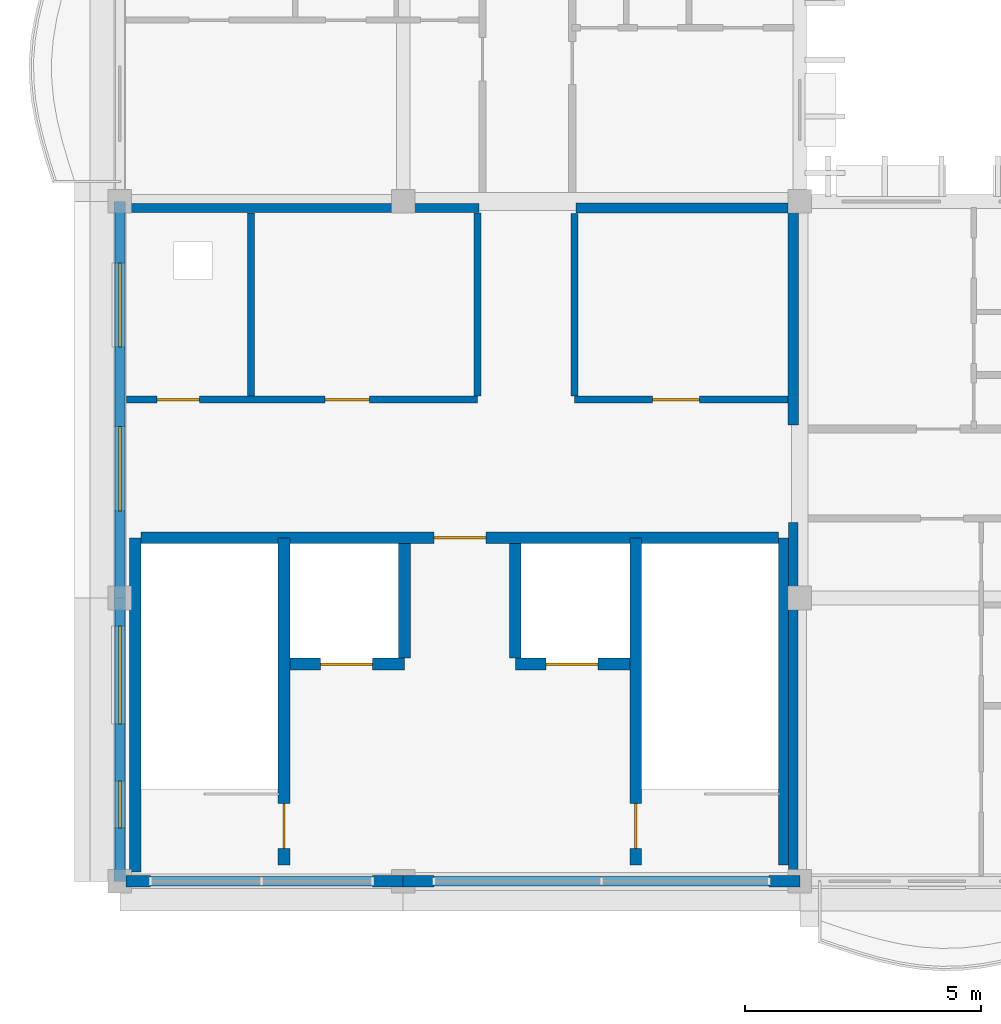
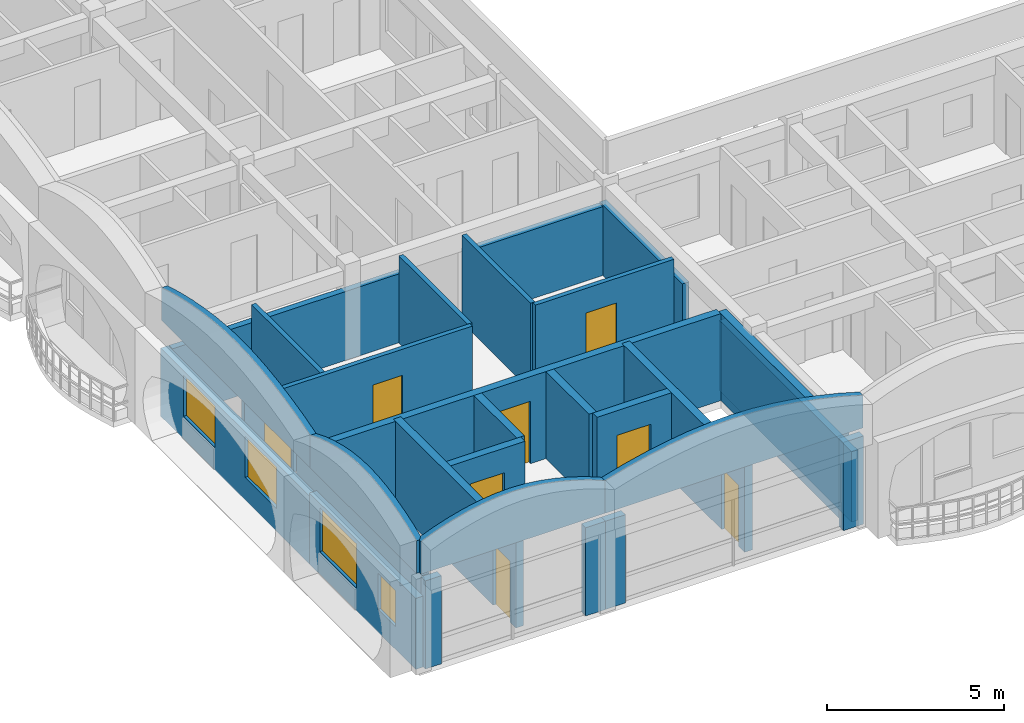
# One storey, part 10 of 45: 28 walls, 8 doors, 4 windows, 12 openings.
"""IFC4 building model written with IfcOpenShell, lengths in metres."""

from ifc_helpers import new_model, si_unit, direction, frame, frame_2d, origin, place, context, subcontext, project, spatial, polyline, rectangle, outline, extrude, material, layer, layer_set, type_object, element, fill, save


model = new_model("IFC4")

# Units and contexts
model_context = context("Model", 3, precision=1e-05, world=origin(), true_north=direction((0.0, 1.0)))
body_context = subcontext(model_context, "Body", "Model", "MODEL_VIEW")
ifc_project = project(units=[si_unit("LENGTHUNIT", "METRE"), si_unit("AREAUNIT", "SQUARE_METRE"), si_unit("VOLUMEUNIT", "CUBIC_METRE"), si_unit("PLANEANGLEUNIT", "RADIAN"), si_unit("MASSUNIT", "GRAM", prefix="KILO"), si_unit("THERMODYNAMICTEMPERATUREUNIT", "KELVIN")], contexts=[model_context])

# Site, building, storey
site_placement = place(None, origin())
site = spatial("IfcSite", under=ifc_project, at=site_placement, CompositionType="ELEMENT")
building_placement = place(site_placement, origin())
building = spatial("IfcBuilding", under=site, at=building_placement, Name="Thalorik Housing Commons", CompositionType="ELEMENT")
storey_placement = place(building_placement, frame((0.0, 0.0, 34.5)))
storey = spatial("IfcBuildingStorey", under=building, at=storey_placement, Name="L10", CompositionType="ELEMENT", Elevation=34.5)

# Wall, opening, door
ifc_material_1 = material(Name="Concrete C40/50", Category="concrete")
ifc_layer_1 = layer(ifc_material_1, 0.25, Name="Concrete C40/50", Category="concrete")
ifc_layer_set_1 = layer_set([ifc_layer_1], Name="Concrete C40/50")
wall_type_1 = type_object("IfcWallType", Name="ARC-WAL-CORE-250", PredefinedType="SHEAR", material=ifc_layer_set_1)
wall_1_placement = place(storey_placement, frame((11.875, 8.75, 0.0), z_axis=(0.0, 0.0, 1.0), x_axis=(0.0, 1.0, 0.0)))
wall_1 = element("IfcWall", 1, at=wall_1_placement, inside=storey, type_object=wall_type_1, Name="L10 Core C Stair 1 Shear Wall", PredefinedType="SHEAR", context=body_context, shape_type="SweptSolid", body=[
    extrude(rectangle(XDim=6.925048828125, YDim=0.25, at=frame_2d((3.46240234375, 0.0))), origin(), (0.0, 0.0, 1.0), 3.0),
])
opening_1_placement = place(wall_1_placement, frame((0.35009765625, 0.0, 0.0)))
opening_1 = element("IfcOpeningElement", 2, at=opening_1_placement, cuts=wall_1, Name="Opening ID-0337", PredefinedType="OPENING", context=body_context, shape_type="SweptSolid", body=[
    extrude(rectangle(XDim=0.949951171875, YDim=2.10009765625, at=frame_2d((0.47509765625, 1.050048828125))), frame((0.0, 0.135009765625, 0.0), z_axis=(0.0, -1.0, 0.0), x_axis=(1.0, 0.0, 0.0)), (0.0, 0.0, 1.0), 0.27001953125),
])
ifc_material_2 = material(Name="Steel S355", Category="steel")
door_type_1 = type_object("IfcDoorType", Name="ARC-DR-FD60-950", OperationType="NOTDEFINED", PredefinedType="DOOR", material=ifc_material_2)
door_1_placement = place(opening_1_placement, origin())
door_1 = element("IfcDoor", 3, at=door_1_placement, inside=storey, type_object=door_type_1, Name="L10 Stair ST-C1 Fire Door", OperationType="SINGLE_SWING_RIGHT", OverallHeight=2.10009765625, OverallWidth=0.949951171875, PredefinedType="DOOR", context=body_context, shape_type="SweptSolid", body=[
    extrude(rectangle(XDim=0.949951171875, YDim=2.10009765625, at=frame_2d((0.47509765625, 1.050048828125))), frame((0.0, 0.02490234375, 0.0), z_axis=(0.0, -1.0, 0.0), x_axis=(1.0, 0.0, 0.0)), (0.0, 0.0, 1.0), 0.050048828125),
])
fill(opening_1, door_1)

# Walls
wall_2_placement = place(storey_placement, frame((8.72509765625, 8.60009765625, 0.0), z_axis=(0.0, 0.0, 1.0), x_axis=(0.0, 1.0, 0.0)))
element("IfcWall", 4, at=wall_2_placement, inside=storey, type_object=wall_type_1, Name="L10 Core C Stair 1 Outer Shear Wall", PredefinedType="SHEAR", context=body_context, shape_type="SweptSolid", body=[
    extrude(rectangle(XDim=7.074951171875, YDim=0.25, at=frame_2d((3.53759765625, 0.0))), origin(), (0.0, 0.0, 1.0), 3.0),
])
wall_3_placement = place(storey_placement, frame((22.47509765625, 8.75, 0.0), z_axis=(0.0, 0.0, 1.0), x_axis=(0.0, 1.0, 0.0)))
element("IfcWall", 5, at=wall_3_placement, inside=storey, type_object=wall_type_1, Name="L10 Core C Stair 2 Outer Shear Wall", PredefinedType="SHEAR", context=body_context, shape_type="SweptSolid", body=[
    extrude(rectangle(XDim=6.925048828125, YDim=0.25, at=frame_2d((3.46240234375, 0.0))), origin(), (0.0, 0.0, 1.0), 3.0),
])

# Wall, opening, door
wall_4_placement = place(storey_placement, frame((19.324951171875, 8.75, 0.0), z_axis=(0.0, 0.0, 1.0), x_axis=(0.0, 1.0, 0.0)))
wall_4 = element("IfcWall", 6, at=wall_4_placement, inside=storey, type_object=wall_type_1, Name="L10 Core C Stair 2 Shear Wall", PredefinedType="SHEAR", context=body_context, shape_type="SweptSolid", body=[
    extrude(rectangle(XDim=6.925048828125, YDim=0.25, at=frame_2d((3.46240234375, 0.0))), origin(), (0.0, 0.0, 1.0), 3.0),
])
opening_2_placement = place(wall_4_placement, frame((0.35009765625, 0.0, 0.0)))
opening_2 = element("IfcOpeningElement", 7, at=opening_2_placement, cuts=wall_4, Name="Opening ID-0338", PredefinedType="OPENING", context=body_context, shape_type="SweptSolid", body=[
    extrude(rectangle(XDim=0.949951171875, YDim=2.10009765625, at=frame_2d((0.47509765625, 1.050048828125))), frame((0.0, 0.135009765625, 0.0), z_axis=(0.0, -1.0, 0.0), x_axis=(1.0, 0.0, 0.0)), (0.0, 0.0, 1.0), 0.27001953125),
])
door_2_placement = place(opening_2_placement, origin())
door_2 = element("IfcDoor", 8, at=door_2_placement, inside=storey, type_object=door_type_1, Name="L10 Stair ST-C2 Fire Door", OperationType="SINGLE_SWING_LEFT", OverallHeight=2.10009765625, OverallWidth=0.949951171875, PredefinedType="DOOR", context=body_context, shape_type="SweptSolid", body=[
    extrude(rectangle(XDim=0.949951171875, YDim=2.10009765625, at=frame_2d((0.47509765625, 1.050048828125))), frame((0.0, 0.02490234375, 0.0), z_axis=(0.0, -1.0, 0.0), x_axis=(1.0, 0.0, 0.0)), (0.0, 0.0, 1.0), 0.050048828125),
])
fill(opening_2, door_2)

wall_5_placement = place(storey_placement, frame((12.0, 13.0, 0.0), z_axis=(0.0, 0.0, 1.0), x_axis=(1.0, 0.0, 0.0)))
wall_5 = element("IfcWall", 9, at=wall_5_placement, inside=storey, type_object=wall_type_1, Name="L10 Lift LF-C1 Front Shaft Wall", PredefinedType="SHEAR", context=body_context, shape_type="SweptSolid", body=[
    extrude(rectangle(XDim=2.425048828125, YDim=0.25, at=frame_2d((1.21240234375, 0.0))), origin(), (0.0, 0.0, 1.0), 3.0),
])
opening_3_placement = place(wall_5_placement, frame((0.64990234375, 0.0, 0.0)))
opening_3 = element("IfcOpeningElement", 10, at=opening_3_placement, cuts=wall_5, Name="Opening LD-LF-C1-L10", PredefinedType="OPENING", context=body_context, shape_type="SweptSolid", body=[
    extrude(rectangle(XDim=1.10009765625, YDim=2.14990234375, at=frame_2d((0.550048828125, 1.074951171875))), frame((0.0, 0.135009765625, 0.0), z_axis=(0.0, -1.0, 0.0), x_axis=(1.0, 0.0, 0.0)), (0.0, 0.0, 1.0), 0.27001953125),
])
door_type_2 = type_object("IfcDoorType", Name="ARC-DR-LIFT-1100", OperationType="NOTDEFINED", PredefinedType="DOOR", material=ifc_material_2)
door_3_placement = place(opening_3_placement, origin())
door_3 = element("IfcDoor", 11, at=door_3_placement, inside=storey, type_object=door_type_2, Name="L10 Lift LF-C1 Landing Door", OperationType="SLIDING_TO_LEFT", OverallHeight=2.14990234375, OverallWidth=1.10009765625, PredefinedType="DOOR", context=body_context, shape_type="SweptSolid", body=[
    extrude(rectangle(XDim=1.10009765625, YDim=2.14990234375, at=frame_2d((0.550048828125, 1.074951171875))), frame((0.0, 0.02490234375, 0.0), z_axis=(0.0, -1.0, 0.0), x_axis=(1.0, 0.0, 0.0)), (0.0, 0.0, 1.0), 0.050048828125),
])
fill(opening_3, door_3)

wall_6_placement = place(storey_placement, frame((16.77490234375, 13.0, 0.0), z_axis=(0.0, 0.0, 1.0), x_axis=(1.0, 0.0, 0.0)))
wall_6 = element("IfcWall", 12, at=wall_6_placement, inside=storey, type_object=wall_type_1, Name="L10 Lift LP-C2 Front Shaft Wall", PredefinedType="SHEAR", context=body_context, shape_type="SweptSolid", body=[
    extrude(rectangle(XDim=2.425048828125, YDim=0.25, at=frame_2d((1.21240234375, 0.0))), origin(), (0.0, 0.0, 1.0), 3.0),
])
opening_4_placement = place(wall_6_placement, frame((0.64990234375, 0.0, 0.0)))
opening_4 = element("IfcOpeningElement", 13, at=opening_4_placement, cuts=wall_6, Name="Opening LD-LP-C2-L10", PredefinedType="OPENING", context=body_context, shape_type="SweptSolid", body=[
    extrude(rectangle(XDim=1.10009765625, YDim=2.14990234375, at=frame_2d((0.550048828125, 1.074951171875))), frame((0.0, 0.135009765625, 0.0), z_axis=(0.0, -1.0, 0.0), x_axis=(1.0, 0.0, 0.0)), (0.0, 0.0, 1.0), 0.27001953125),
])
door_4_placement = place(opening_4_placement, origin())
door_4 = element("IfcDoor", 14, at=door_4_placement, inside=storey, type_object=door_type_2, Name="L10 Lift LP-C2 Landing Door", OperationType="SLIDING_TO_LEFT", OverallHeight=2.14990234375, OverallWidth=1.10009765625, PredefinedType="DOOR", context=body_context, shape_type="SweptSolid", body=[
    extrude(rectangle(XDim=1.10009765625, YDim=2.14990234375, at=frame_2d((0.550048828125, 1.074951171875))), frame((0.0, 0.02490234375, 0.0), z_axis=(0.0, -1.0, 0.0), x_axis=(1.0, 0.0, 0.0)), (0.0, 0.0, 1.0), 0.050048828125),
])
fill(opening_4, door_4)

# Walls
for number, where, z_axis, x_axis, name in (
    (15, (14.425048828125, 13.125, 0.0), (0.0, 0.0, 1.0), (0.0, 1.0, 0.0), "L10 Lift 1 Cheek Wall"),
    (16, (16.77490234375, 13.125, 0.0), (0.0, 0.0, 1.0), (0.0, 1.0, 0.0), "L10 Lift 2 Cheek Wall"),
):
    element("IfcWall", number, at=place(storey_placement, frame(where, z_axis=z_axis, x_axis=x_axis)), inside=storey, type_object=wall_type_1, Name=name, PredefinedType="SHEAR", context=body_context, shape_type="SweptSolid", body=[
        extrude(rectangle(XDim=2.425048828125, YDim=0.25, at=frame_2d((1.21240234375, 0.0))), origin(), (0.0, 0.0, 1.0), 3.0),
    ])

# Wall, opening, door
wall_7_placement = place(storey_placement, frame((8.85009765625, 15.675048828125, 0.0), z_axis=(0.0, 0.0, 1.0), x_axis=(1.0, 0.0, 0.0)))
wall_7 = element("IfcWall", 17, at=wall_7_placement, inside=storey, type_object=wall_type_1, Name="L10 Core C Spine Shear Wall", PredefinedType="SHEAR", context=body_context, shape_type="SweptSolid", body=[
    extrude(rectangle(XDim=13.5, YDim=0.25, at=frame_2d((6.75, 0.0))), origin(), (0.0, 0.0, 1.0), 3.0),
])
opening_5_placement = place(wall_7_placement, frame((6.199951171875, 0.0, 0.0)))
opening_5 = element("IfcOpeningElement", 18, at=opening_5_placement, cuts=wall_7, Name="Opening ID-0341", PredefinedType="OPENING", context=body_context, shape_type="SweptSolid", body=[
    extrude(rectangle(XDim=1.10009765625, YDim=2.14990234375, at=frame_2d((0.550048828125, 1.074951171875))), frame((0.0, 0.135009765625, 0.0), z_axis=(0.0, -1.0, 0.0), x_axis=(1.0, 0.0, 0.0)), (0.0, 0.0, 1.0), 0.27001953125),
])
door_type_3 = type_object("IfcDoorType", Name="ARC-DR-FD60-1100", OperationType="NOTDEFINED", PredefinedType="DOOR", material=ifc_material_2)
door_5_placement = place(opening_5_placement, origin())
door_5 = element("IfcDoor", 19, at=door_5_placement, inside=storey, type_object=door_type_3, Name="L10 Core C Lobby Fire Door", OperationType="SINGLE_SWING_RIGHT", OverallHeight=2.14990234375, OverallWidth=1.10009765625, PredefinedType="DOOR", context=body_context, shape_type="SweptSolid", body=[
    extrude(rectangle(XDim=1.10009765625, YDim=2.14990234375, at=frame_2d((0.550048828125, 1.074951171875))), frame((0.0, 0.02490234375, 0.0), z_axis=(0.0, -1.0, 0.0), x_axis=(1.0, 0.0, 0.0)), (0.0, 0.0, 1.0), 0.050048828125),
])
fill(opening_5, door_5)

# Wall, openings, windows
ifc_material_3 = material(Name="White precast concrete C40/50", Category="concrete")
ifc_layer_2 = layer(ifc_material_3, 0.2451171875, Name="White precast concrete C40/50", Category="concrete")
ifc_layer_set_2 = layer_set([ifc_layer_2], Name="White precast concrete C40/50")
wall_type_2 = type_object("IfcWallType", Name="ARC-WAL-EXT-245", PredefinedType="STANDARD", material=ifc_layer_set_2)
wall_8_placement = place(storey_placement, frame((8.39990234375, 22.800048828125, 0.0), z_axis=(0.0, 0.0, 1.0), x_axis=(0.0, -1.0, 0.0)))
wall_8 = element("IfcWall", 20, at=wall_8_placement, inside=storey, type_object=wall_type_2, Name="L10 Exterior Wall WAL-EXT-L10-C-1093", PredefinedType="STANDARD", context=body_context, shape_type="SweptSolid", body=[
    extrude(rectangle(XDim=8.400146484375, YDim=0.2451171875, at=frame_2d((4.2001953125, 0.0))), origin(), (0.0, 0.0, 1.0), 2.344970703125),
])
opening_6_placement = place(wall_8_placement, frame((1.304931640625, 0.0, 0.780029296875)))
opening_6 = element("IfcOpeningElement", 21, at=opening_6_placement, cuts=wall_8, Name="Opening W-57", PredefinedType="OPENING", context=body_context, shape_type="SweptSolid", body=[
    extrude(rectangle(XDim=1.780029296875, YDim=1.419921875, at=frame_2d((0.89013671875, 0.7099609375))), frame((0.0, 0.132568359375, 0.0), z_axis=(0.0, -1.0, 0.0), x_axis=(1.0, 0.0, 0.0)), (0.0, 0.0, 1.0), 0.26513671875),
])
opening_7_placement = place(wall_8_placement, frame((4.7724609375, 0.0, 0.780029296875)))
opening_7 = element("IfcOpeningElement", 22, at=opening_7_placement, cuts=wall_8, Name="Opening W-57", PredefinedType="OPENING", context=body_context, shape_type="SweptSolid", body=[
    extrude(rectangle(XDim=1.780029296875, YDim=1.419921875, at=frame_2d((0.89013671875, 0.7099609375))), frame((0.0, 0.132568359375, 0.0), z_axis=(0.0, -1.0, 0.0), x_axis=(1.0, 0.0, 0.0)), (0.0, 0.0, 1.0), 0.26513671875),
])
ifc_material_4 = material(Name="Anodised aluminium and solar-control low-E glass", Category="aluminium")
window_type_1 = type_object("IfcWindowType", Name="ARC-WIN-57", PartitioningType="DOUBLE_PANEL_VERTICAL", PredefinedType="WINDOW", material=ifc_material_4)
window_1_placement = place(opening_6_placement, origin())
window_1 = element("IfcWindow", 23, at=window_1_placement, inside=storey, type_object=window_type_1, Name="L10 Facade Window 2014", OverallHeight=1.419921875, OverallWidth=1.780029296875, PartitioningType="DOUBLE_PANEL_VERTICAL", PredefinedType="WINDOW", context=body_context, shape_type="SweptSolid", body=[
    extrude(rectangle(XDim=1.780029296875, YDim=1.419921875, at=frame_2d((0.89013671875, 0.7099609375))), frame((0.0, 0.030029296875, 0.0), z_axis=(0.0, -1.0, 0.0), x_axis=(1.0, 0.0, 0.0)), (0.0, 0.0, 1.0), 0.06005859375),
])
fill(opening_6, window_1)
window_2_placement = place(opening_7_placement, origin())
window_2 = element("IfcWindow", 24, at=window_2_placement, inside=storey, type_object=window_type_1, Name="L10 Facade Window 2015", OverallHeight=1.419921875, OverallWidth=1.780029296875, PartitioningType="DOUBLE_PANEL_VERTICAL", PredefinedType="WINDOW", context=body_context, shape_type="SweptSolid", body=[
    extrude(rectangle(XDim=1.780029296875, YDim=1.419921875, at=frame_2d((0.89013671875, 0.7099609375))), frame((0.0, 0.030029296875, 0.0), z_axis=(0.0, -1.0, 0.0), x_axis=(1.0, 0.0, 0.0)), (0.0, 0.0, 1.0), 0.06005859375),
])
fill(opening_7, window_2)

wall_9_placement = place(storey_placement, frame((8.39990234375, 14.39990234375, 0.0), z_axis=(0.0, 0.0, 1.0), x_axis=(0.0, -1.0, 0.0)))
wall_9 = element("IfcWall", 25, at=wall_9_placement, inside=storey, type_object=wall_type_2, Name="L10 Exterior Wall WAL-EXT-L10-C-1094", PredefinedType="STANDARD", context=body_context, shape_type="SweptSolid", body=[
    extrude(rectangle(XDim=6.0, YDim=0.2451171875, at=frame_2d((3.0, 0.0))), origin(), (0.0, 0.0, 1.0), 2.445068359375),
])
opening_8_placement = place(wall_9_placement, frame((0.590087890625, 0.0, 0.780029296875)))
opening_8 = element("IfcOpeningElement", 26, at=opening_8_placement, cuts=wall_9, Name="Opening W-63", PredefinedType="OPENING", context=body_context, shape_type="SweptSolid", body=[
    extrude(rectangle(XDim=2.080078125, YDim=1.52001953125, at=frame_2d((1.0400390625, 0.760009765625))), frame((0.0, 0.132568359375, 0.0), z_axis=(0.0, -1.0, 0.0), x_axis=(1.0, 0.0, 0.0)), (0.0, 0.0, 1.0), 0.26513671875),
])
opening_9_placement = place(wall_9_placement, frame((3.8701171875, 0.0, 0.780029296875)))
opening_9 = element("IfcOpeningElement", 27, at=opening_9_placement, cuts=wall_9, Name="Opening W-02", PredefinedType="OPENING", context=body_context, shape_type="SweptSolid", body=[
    extrude(rectangle(XDim=1.0, YDim=1.25, at=frame_2d((0.5, 0.625))), frame((0.0, 0.132568359375, 0.0), z_axis=(0.0, -1.0, 0.0), x_axis=(1.0, 0.0, 0.0)), (0.0, 0.0, 1.0), 0.26513671875),
])
window_type_2 = type_object("IfcWindowType", Name="ARC-WIN-02", PartitioningType="SINGLE_PANEL", PredefinedType="WINDOW", material=ifc_material_4)
window_3_placement = place(opening_9_placement, origin())
window_3 = element("IfcWindow", 28, at=window_3_placement, inside=storey, type_object=window_type_2, Name="L10 Facade Window 2017", OverallHeight=1.25, OverallWidth=1.0, PartitioningType="SINGLE_PANEL", PredefinedType="WINDOW", context=body_context, shape_type="SweptSolid", body=[
    extrude(rectangle(XDim=1.0, YDim=1.25, at=frame_2d((0.5, 0.625))), frame((0.0, 0.030029296875, 0.0), z_axis=(0.0, -1.0, 0.0), x_axis=(1.0, 0.0, 0.0)), (0.0, 0.0, 1.0), 0.06005859375),
])
fill(opening_9, window_3)
window_type_3 = type_object("IfcWindowType", Name="ARC-WIN-63", PartitioningType="DOUBLE_PANEL_VERTICAL", PredefinedType="WINDOW", material=ifc_material_4)
window_4_placement = place(opening_8_placement, origin())
window_4 = element("IfcWindow", 29, at=window_4_placement, inside=storey, type_object=window_type_3, Name="L10 Facade Window 2016", OverallHeight=1.52001953125, OverallWidth=2.080078125, PartitioningType="DOUBLE_PANEL_VERTICAL", PredefinedType="WINDOW", context=body_context, shape_type="SweptSolid", body=[
    extrude(rectangle(XDim=2.080078125, YDim=1.52001953125, at=frame_2d((1.0400390625, 0.760009765625))), frame((0.0, 0.030029296875, 0.0), z_axis=(0.0, -1.0, 0.0), x_axis=(1.0, 0.0, 0.0)), (0.0, 0.0, 1.0), 0.06005859375),
])
fill(opening_8, window_4)

# Walls
wall_10_placement = place(storey_placement, frame((8.5244140625, 8.39990234375, 0.0), z_axis=(0.0, 0.0, 1.0), x_axis=(1.0, 0.0, 0.0)))
element("IfcWall", 30, at=wall_10_placement, inside=storey, type_object=wall_type_2, Name="L10 Exterior Wall WAL-PIERL-L10-C-1095", PredefinedType="STANDARD", context=body_context, shape_type="SweptSolid", body=[
    extrude(rectangle(XDim=0.525634765625, YDim=0.2451171875, at=frame_2d((0.2626953125, 0.0))), origin(), (0.0, 0.0, 1.0), 3.0400390625),
])
wall_11_placement = place(storey_placement, frame((13.75, 8.39990234375, 0.0), z_axis=(0.0, 0.0, 1.0), x_axis=(1.0, 0.0, 0.0)))
element("IfcWall", 31, at=wall_11_placement, inside=storey, type_object=wall_type_2, Name="L10 Exterior Wall WAL-PIERR-L10-C-1095", PredefinedType="STANDARD", context=body_context, shape_type="SweptSolid", body=[
    extrude(rectangle(XDim=0.64990234375, YDim=0.2451171875, at=frame_2d((0.324951171875, 0.0))), origin(), (0.0, 0.0, 1.0), 3.0400390625),
])
for number, where, z_axis, x_axis, name in (
    (32, (14.39990234375, 8.39990234375, 0.0), (0.0, 0.0, 1.0), (1.0, 0.0, 0.0), "L10 Exterior Wall WAL-PIERL-L10-C-1096"),
    (33, (22.14990234375, 8.39990234375, 0.0), (0.0, 0.0, 1.0), (1.0, 0.0, 0.0), "L10 Exterior Wall WAL-PIERR-L10-C-1096"),
):
    element("IfcWall", number, at=place(storey_placement, frame(where, z_axis=z_axis, x_axis=x_axis)), inside=storey, type_object=wall_type_2, Name=name, PredefinedType="STANDARD", context=body_context, shape_type="SweptSolid", body=[
        extrude(rectangle(XDim=0.650146484375, YDim=0.2451171875, at=frame_2d((0.3251953125, 0.0))), origin(), (0.0, 0.0, 1.0), 3.0400390625),
    ])
ifc_layer_3 = layer(ifc_material_3, 0.195068359375, Name="White precast concrete C40/50", Category="concrete")
ifc_layer_set_3 = layer_set([ifc_layer_3], Name="White precast concrete C40/50")
wall_type_3 = type_object("IfcWallType", Name="ARC-WAL-PAR-195", PredefinedType="PARAPET", material=ifc_layer_set_3)
wall_12_placement = place(storey_placement, frame((8.39990234375, 22.800048828125, 3.300048828125), z_axis=(0.0, 0.0, 1.0), x_axis=(0.0, -1.0, 0.0)))
element("IfcWall", 34, at=wall_12_placement, inside=storey, type_object=wall_type_3, Name="L10 Block C Scalloped Arched Roof Parapet 36", PredefinedType="PARAPET", context=body_context, shape_type="SweptSolid", body=[
    extrude(outline(polyline([(0.0, 0.0), (8.400146484375, 0.0), (8.39990234375, 1.119873046875), (7.699951171875, 1.321533203125), (7.0, 1.484375), (6.300048828125, 1.61767578125), (5.60009765625, 1.71728515625), (4.89990234375, 1.779052734375), (4.199951171875, 1.800048828125), (3.5, 1.779052734375), (2.800048828125, 1.71728515625), (2.10009765625, 1.61767578125), (1.39990234375, 1.484375), (0.699951171875, 1.321533203125), (0.0, 1.119873046875), (0.0, 0.0)])), frame((0.0, 0.09765625, 0.0), z_axis=(0.0, -1.0, 0.0), x_axis=(1.0, 0.0, 0.0)), (0.0, 0.0, 1.0), 0.195068359375),
])
for number, where, z_axis, x_axis, name in (
    (35, (8.39990234375, 14.39990234375, 3.300048828125), (0.0, 0.0, 1.0), (0.0, -1.0, 0.0), "L10 Block C Scalloped Arched Roof Parapet 37"),
    (36, (8.39990234375, 8.39990234375, 3.300048828125), (0.0, 0.0, 1.0), (1.0, 0.0, 0.0), "L10 Block C Scalloped Arched Roof Parapet 38"),
):
    element("IfcWall", number, at=place(storey_placement, frame(where, z_axis=z_axis, x_axis=x_axis)), inside=storey, type_object=wall_type_3, Name=name, PredefinedType="PARAPET", context=body_context, shape_type="SweptSolid", body=[
        extrude(outline(polyline([(0.0, 0.0), (6.0, 0.0), (6.0, 1.119873046875), (5.5, 1.321533203125), (5.0, 1.484375), (4.5, 1.61767578125), (4.0, 1.71728515625), (3.5, 1.779052734375), (3.0, 1.800048828125), (2.5, 1.779052734375), (2.0, 1.71728515625), (1.5, 1.61767578125), (1.0, 1.484375), (0.5, 1.321533203125), (0.0, 1.119873046875), (0.0, 0.0)])), frame((0.0, 0.09765625, 0.0), z_axis=(0.0, -1.0, 0.0), x_axis=(1.0, 0.0, 0.0)), (0.0, 0.0, 1.0), 0.195068359375),
    ])
wall_13_placement = place(storey_placement, frame((14.39990234375, 8.39990234375, 3.300048828125), z_axis=(0.0, 0.0, 1.0), x_axis=(1.0, 0.0, 0.0)))
element("IfcWall", 37, at=wall_13_placement, inside=storey, type_object=wall_type_3, Name="L10 Block C Scalloped Arched Roof Parapet 39", PredefinedType="PARAPET", context=body_context, shape_type="SweptSolid", body=[
    extrude(outline(polyline([(0.0, 0.0), (8.400146484375, 0.0), (8.39990234375, 1.119873046875), (7.699951171875, 1.321533203125), (7.0, 1.484375), (6.300048828125, 1.61767578125), (5.60009765625, 1.71728515625), (4.89990234375, 1.779052734375), (4.199951171875, 1.800048828125), (3.5, 1.779052734375), (2.800048828125, 1.71728515625), (2.10009765625, 1.61767578125), (1.39990234375, 1.484375), (0.699951171875, 1.321533203125), (0.0, 1.119873046875), (0.0, 0.0)])), frame((0.0, 0.09765625, 0.0), z_axis=(0.0, -1.0, 0.0), x_axis=(1.0, 0.0, 0.0)), (0.0, 0.0, 1.0), 0.195068359375),
])
ifc_material_5 = material(Name="Ceramic masonry partition wall", Category="masonry")
ifc_layer_4 = layer(ifc_material_5, 0.14794921875, Name="Ceramic masonry partition wall", Category="masonry")
ifc_layer_set_4 = layer_set([ifc_layer_4], Name="Ceramic masonry partition wall")
wall_type_4 = type_object("IfcWallType", Name="ARC-WAL-PART-150", PredefinedType="PARTITIONING", material=ifc_layer_set_4)
for number, where, z_axis, x_axis, name in (
    (38, (11.175048828125, 18.676025390625, 0.0), (0.0, 0.0, 1.0), (0.0, 1.0, 0.0), "Riser Wall"),
    (39, (15.97509765625, 18.676025390625, 0.0), (0.0, 0.0, 1.0), (0.0, 1.0, 0.0), "Core Stem West Cheek Wall"),
):
    element("IfcWall", number, at=place(storey_placement, frame(where, z_axis=z_axis, x_axis=x_axis)), inside=storey, type_object=wall_type_4, Name=name, PredefinedType="PARTITIONING", context=body_context, shape_type="SweptSolid", body=[
        extrude(rectangle(XDim=3.882080078125, YDim=0.14794921875, at=frame_2d((1.94091796875, 0.0))), origin(), (0.0, 0.0, 1.0), 3.0),
    ])
wall_14_placement = place(storey_placement, frame((18.02490234375, 18.676025390625, 0.0), z_axis=(0.0, 0.0, 1.0), x_axis=(0.0, 1.0, 0.0)))
element("IfcWall", 40, at=wall_14_placement, inside=storey, type_object=wall_type_4, Name="Core Stem East Cheek Wall", PredefinedType="PARTITIONING", context=body_context, shape_type="SweptSolid", body=[
    extrude(rectangle(XDim=3.8720703125, YDim=0.14794921875, at=frame_2d((1.93603515625, 0.0))), origin(), (0.0, 0.0, 1.0), 3.0),
])

# Wall, openings, doors
wall_15_placement = place(storey_placement, frame((8.5400390625, 18.60009765625, 0.0), z_axis=(0.0, 0.0, 1.0), x_axis=(1.0, 0.0, 0.0)))
wall_15 = element("IfcWall", 41, at=wall_15_placement, inside=storey, type_object=wall_type_4, Name="L10 Core C West Corridor Partition", PredefinedType="PARTITIONING", context=body_context, shape_type="SweptSolid", body=[
    extrude(rectangle(XDim=7.43505859375, YDim=0.14794921875, at=frame_2d((3.717529296875, 0.0))), origin(), (0.0, 0.0, 1.0), 3.0),
])
opening_10_placement = place(wall_15_placement, frame((0.64990234375, 0.0, 0.0)))
opening_10 = element("IfcOpeningElement", 42, at=opening_10_placement, cuts=wall_15, Name="Opening ID-0342", PredefinedType="OPENING", context=body_context, shape_type="SweptSolid", body=[
    extrude(rectangle(XDim=0.89990234375, YDim=2.10009765625, at=frame_2d((0.449951171875, 1.050048828125))), frame((0.0, 0.083984375, 0.0), z_axis=(0.0, -1.0, 0.0), x_axis=(1.0, 0.0, 0.0)), (0.0, 0.0, 1.0), 0.16796875),
])
opening_11_placement = place(wall_15_placement, frame((4.199951171875, 0.0, 0.0)))
opening_11 = element("IfcOpeningElement", 43, at=opening_11_placement, cuts=wall_15, Name="Opening ID-0343", PredefinedType="OPENING", context=body_context, shape_type="SweptSolid", body=[
    extrude(rectangle(XDim=0.949951171875, YDim=2.10009765625, at=frame_2d((0.47509765625, 1.050048828125))), frame((0.0, 0.083984375, 0.0), z_axis=(0.0, -1.0, 0.0), x_axis=(1.0, 0.0, 0.0)), (0.0, 0.0, 1.0), 0.16796875),
])
door_type_4 = type_object("IfcDoorType", Name="ARC-DR-FD60-900", OperationType="NOTDEFINED", PredefinedType="DOOR", material=ifc_material_2)
door_6_placement = place(opening_10_placement, origin())
door_6 = element("IfcDoor", 44, at=door_6_placement, inside=storey, type_object=door_type_4, Name="Electrical Riser Door", OperationType="SINGLE_SWING_LEFT", OverallHeight=2.10009765625, OverallWidth=0.89990234375, PredefinedType="DOOR", context=body_context, shape_type="SweptSolid", body=[
    extrude(rectangle(XDim=0.89990234375, YDim=2.10009765625, at=frame_2d((0.449951171875, 1.050048828125))), frame((0.0, 0.02490234375, 0.0), z_axis=(0.0, -1.0, 0.0), x_axis=(1.0, 0.0, 0.0)), (0.0, 0.0, 1.0), 0.050048828125),
])
fill(opening_10, door_6)
ifc_material_6 = material(Name="Engineered oak timber", Category="wood")
door_type_5 = type_object("IfcDoorType", Name="ARC-DR-INT-950", OperationType="NOTDEFINED", PredefinedType="DOOR", material=ifc_material_6)
door_7_placement = place(opening_11_placement, origin())
door_7 = element("IfcDoor", 45, at=door_7_placement, inside=storey, type_object=door_type_5, Name="Accessible Bathroom Door", OperationType="SINGLE_SWING_RIGHT", OverallHeight=2.10009765625, OverallWidth=0.949951171875, PredefinedType="DOOR", context=body_context, shape_type="SweptSolid", body=[
    extrude(rectangle(XDim=0.949951171875, YDim=2.10009765625, at=frame_2d((0.47509765625, 1.050048828125))), frame((0.0, 0.02490234375, 0.0), z_axis=(0.0, -1.0, 0.0), x_axis=(1.0, 0.0, 0.0)), (0.0, 0.0, 1.0), 0.050048828125),
])
fill(opening_11, door_7)

# Wall, opening, door
wall_16_placement = place(storey_placement, frame((18.02490234375, 18.60009765625, 0.0), z_axis=(0.0, 0.0, 1.0), x_axis=(1.0, 0.0, 0.0)))
wall_16 = element("IfcWall", 46, at=wall_16_placement, inside=storey, type_object=wall_type_4, Name="L10 Core C East Corridor Partition", PredefinedType="PARTITIONING", context=body_context, shape_type="SweptSolid", body=[
    extrude(rectangle(XDim=4.523193359375, YDim=0.14794921875, at=frame_2d((2.26171875, 0.0))), origin(), (0.0, 0.0, 1.0), 3.0),
])
opening_12_placement = place(wall_16_placement, frame((1.64990234375, 0.0, 0.0)))
opening_12 = element("IfcOpeningElement", 47, at=opening_12_placement, cuts=wall_16, Name="Opening ID-0344", PredefinedType="OPENING", context=body_context, shape_type="SweptSolid", body=[
    extrude(rectangle(XDim=1.0, YDim=2.14990234375, at=frame_2d((0.5, 1.074951171875))), frame((0.0, 0.083984375, 0.0), z_axis=(0.0, -1.0, 0.0), x_axis=(1.0, 0.0, 0.0)), (0.0, 0.0, 1.0), 0.16796875),
])
door_type_6 = type_object("IfcDoorType", Name="ARC-DR-FD60-1000", OperationType="NOTDEFINED", PredefinedType="DOOR", material=ifc_material_2)
door_8_placement = place(opening_12_placement, origin())
door_8 = element("IfcDoor", 48, at=door_8_placement, inside=storey, type_object=door_type_6, Name="Core Hub Room Door", OperationType="SINGLE_SWING_LEFT", OverallHeight=2.14990234375, OverallWidth=1.0, PredefinedType="DOOR", context=body_context, shape_type="SweptSolid", body=[
    extrude(rectangle(XDim=1.0, YDim=2.14990234375, at=frame_2d((0.5, 1.074951171875))), frame((0.0, 0.02490234375, 0.0), z_axis=(0.0, -1.0, 0.0), x_axis=(1.0, 0.0, 0.0)), (0.0, 0.0, 1.0), 0.050048828125),
])
fill(opening_12, door_8)

# Walls
ifc_material_7 = material(Name="Precast concrete C40/50 acoustic wall", Category="concrete")
ifc_layer_5 = layer(ifc_material_7, 0.199951171875, Name="Precast concrete C40/50 acoustic wall", Category="concrete")
ifc_layer_set_5 = layer_set([ifc_layer_5], Name="Precast concrete C40/50 acoustic wall")
wall_type_5 = type_object("IfcWallType", Name="ARC-WAL-PARTY-200", PredefinedType="PARTITIONING", material=ifc_layer_set_5)
wall_17_placement = place(storey_placement, frame((8.5244140625, 22.659912109375, 0.0), z_axis=(0.0, 0.0, 1.0), x_axis=(1.0, 0.0, 0.0)))
element("IfcWall", 49, at=wall_17_placement, inside=storey, type_object=wall_type_5, Name="L10 Inter-Tenancy Wall 0A", PredefinedType="PARTITIONING", context=body_context, shape_type="SweptSolid", body=[
    extrude(rectangle(XDim=7.478515625, YDim=0.199951171875, at=frame_2d((3.7392578125, 0.0))), origin(), (0.0, 0.0, 1.0), 2.375),
])
wall_18_placement = place(storey_placement, frame((22.659912109375, 8.5244140625, 0.0), z_axis=(0.0, 0.0, 1.0), x_axis=(0.0, 1.0, 0.0)))
element("IfcWall", 50, at=wall_18_placement, inside=storey, type_object=wall_type_5, Name="L10 Inter-Tenancy Wall 0A", PredefinedType="PARTITIONING", context=body_context, shape_type="SweptSolid", body=[
    extrude(rectangle(XDim=7.478515625, YDim=0.199951171875, at=frame_2d((3.7392578125, 0.0))), origin(), (0.0, 0.0, 1.0), 2.425048828125),
])
ifc_layer_6 = layer(ifc_material_7, 0.219970703125, Name="Precast concrete C40/50 acoustic wall", Category="concrete")
ifc_layer_set_6 = layer_set([ifc_layer_6], Name="Precast concrete C40/50 acoustic wall")
wall_type_6 = type_object("IfcWallType", Name="ARC-WAL-PARTY-220", PredefinedType="PARTITIONING", material=ifc_layer_set_6)
wall_19_placement = place(storey_placement, frame((18.064453125, 22.659912109375, 0.0), z_axis=(0.0, 0.0, 1.0), x_axis=(1.0, 0.0, 0.0)))
element("IfcWall", 51, at=wall_19_placement, inside=storey, type_object=wall_type_6, Name="L10 Inter-Tenancy Wall 0B", PredefinedType="PARTITIONING", context=body_context, shape_type="SweptSolid", body=[
    extrude(rectangle(XDim=4.483642578125, YDim=0.219970703125, at=frame_2d((2.24169921875, 0.0))), origin(), (0.0, 0.0, 1.0), 2.375),
])
wall_20_placement = place(storey_placement, frame((22.659912109375, 18.064453125, 0.0), z_axis=(0.0, 0.0, 1.0), x_axis=(0.0, 1.0, 0.0)))
element("IfcWall", 52, at=wall_20_placement, inside=storey, type_object=wall_type_6, Name="L10 Inter-Tenancy Wall 0B", PredefinedType="PARTITIONING", context=body_context, shape_type="SweptSolid", body=[
    extrude(rectangle(XDim=4.675537109375, YDim=0.219970703125, at=frame_2d((2.337890625, 0.0))), origin(), (0.0, 0.0, 1.0), 2.425048828125),
])

save(model, "model.ifc")
